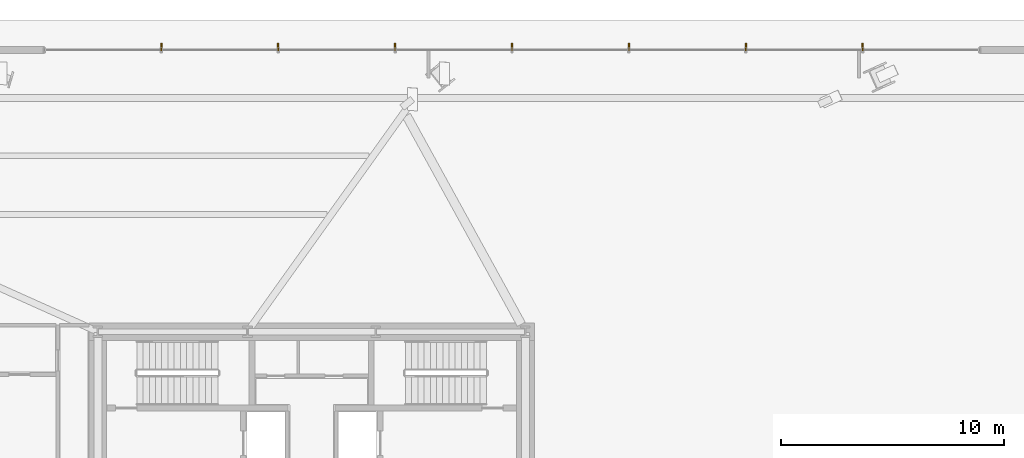
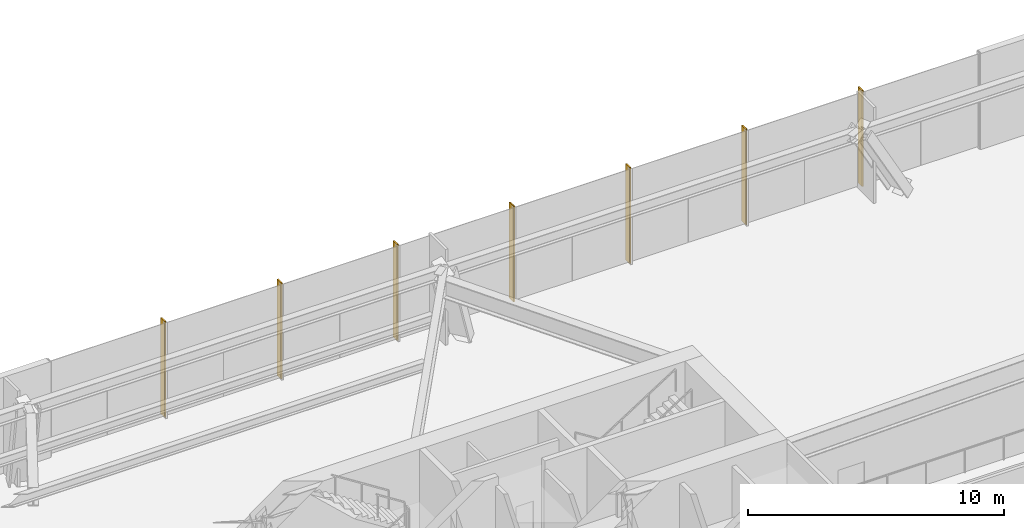
# One storey, part 29 of 31: 7 shading devices.
"""IFC4 building model written with IfcOpenShell, lengths in metres."""

from ifc_helpers import new_model, si_unit, direction, frame, origin, origin_2d, place, context, subcontext, project, spatial, rectangle, extrude, source, transform, mapped, material, type_object, type_shapes, element, save


model = new_model("IFC4")

# Units and contexts
model_context = context("Model", 3, precision=1e-05, world=origin(), true_north=direction((0.0, 1.0)))
body_context = subcontext(model_context, "Body", "Model", "MODEL_VIEW")
ifc_project = project(units=[si_unit("LENGTHUNIT", "METRE"), si_unit("AREAUNIT", "SQUARE_METRE"), si_unit("VOLUMEUNIT", "CUBIC_METRE"), si_unit("PLANEANGLEUNIT", "RADIAN"), si_unit("MASSUNIT", "GRAM", prefix="KILO")], contexts=[model_context])

# Site, building, storey
site_placement = place(None, origin())
site = spatial("IfcSite", under=ifc_project, at=site_placement, CompositionType="ELEMENT")
building_placement = place(site_placement, origin())
building = spatial("IfcBuilding", under=site, at=building_placement, Name="Astriad Promenade Condominiums", CompositionType="ELEMENT")
storey_placement = place(building_placement, origin())
storey = spatial("IfcBuildingStorey", under=building, at=storey_placement, Name="L00", CompositionType="ELEMENT", Elevation=0.0)

# Shading devices
ifc_material = material(Name="Anodised aluminium 6063-T6 Black Fin", Category="aluminium")
shading_device_type = type_object("IfcShadingDeviceType", Name="FIN-BLACK-320", PredefinedType="USERDEFINED", material=ifc_material)
shared_shape = source(origin(), body_context, "Body", "SweptSolid", [
    extrude(rectangle(XDim=0.06494140625, YDim=0.320068359375, at=origin_2d()), origin(), (0.0, 0.0, 1.0), 4.580078125),
])
type_shapes(shading_device_type, [shared_shape])
for number, where, z_axis, x_axis, name in (
    (1, (29.25, 36.7900390625, 0.0), (0.0, 0.0, 1.0), (1.0, 0.0, 0.0), "CW-L00-N-FIN-01"),
    (2, (34.5, 36.7900390625, 0.0), (0.0, 0.0, 1.0), (1.0, 0.0, 0.0), "CW-L00-N-FIN-02"),
    (3, (39.75, 36.7900390625, 0.0), (0.0, 0.0, 1.0), (1.0, 0.0, 0.0), "CW-L00-N-FIN-03"),
    (4, (45.0, 36.7900390625, 0.0), (0.0, 0.0, 1.0), (1.0, 0.0, 0.0), "CW-L00-N-FIN-04"),
    (5, (50.25, 36.7900390625, 0.0), (0.0, 0.0, 1.0), (1.0, 0.0, 0.0), "CW-L00-N-FIN-05"),
    (6, (55.5, 36.7900390625, 0.0), (0.0, 0.0, 1.0), (1.0, 0.0, 0.0), "CW-L00-N-FIN-06"),
    (7, (60.75, 36.7900390625, 0.0), (0.0, 0.0, 1.0), (1.0, 0.0, 0.0), "CW-L00-N-FIN-07"),
):
    element("IfcShadingDevice", number, at=place(storey_placement, frame(where, z_axis=z_axis, x_axis=x_axis)), inside=storey, type_object=shading_device_type, Name=name, ObjectType="FIN", PredefinedType="USERDEFINED", context=body_context, shape_type="MappedRepresentation", body=[
        mapped(shared_shape, transform((0.0, 0.0, 0.0), scale=1.0)),
    ])

save(model, "model.ifc")
